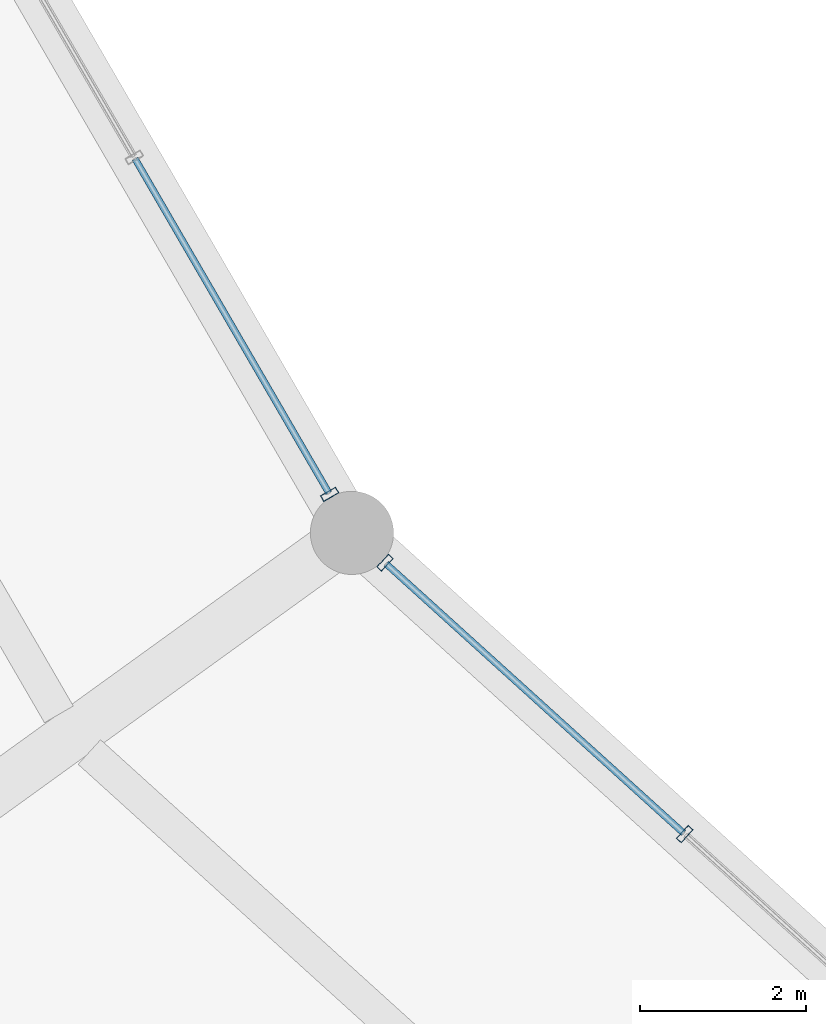
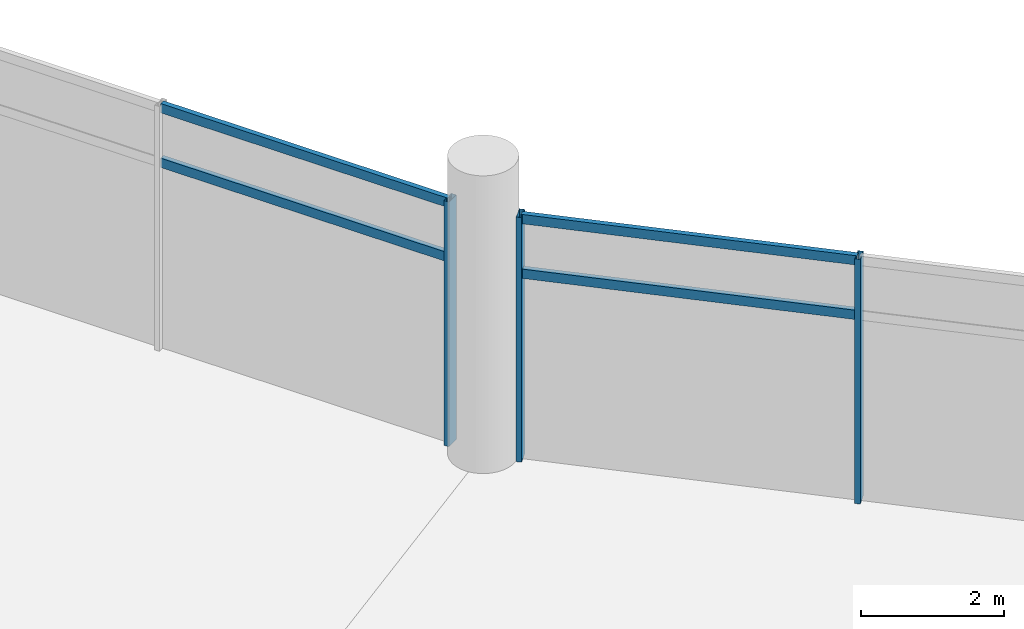
# One storey, part 12 of 184: 7 members, 2 elements without a shape of their own.
"""IFC4 building model written with IfcOpenShell, lengths in metres."""

from ifc_helpers import new_model, si_unit, direction, frame, origin, origin_2d, place, context, subcontext, project, spatial, hollow_rectangle, extrude, material, layer, layer_set, material_profile, profile_set, type_object, element, aggregate, save


model = new_model("IFC4")

# Units and contexts
model_context = context("Model", 3, precision=1e-05, world=origin(), true_north=direction((0.0, 1.0)))
body_context = subcontext(model_context, "Body", "Model", "MODEL_VIEW")
ifc_project = project(units=[si_unit("LENGTHUNIT", "METRE"), si_unit("AREAUNIT", "SQUARE_METRE"), si_unit("VOLUMEUNIT", "CUBIC_METRE"), si_unit("PLANEANGLEUNIT", "RADIAN"), si_unit("MASSUNIT", "GRAM", prefix="KILO")], contexts=[model_context])

# Site, building, storey
site_placement = place(None, origin())
site = spatial("IfcSite", under=ifc_project, at=site_placement, CompositionType="ELEMENT")
building_placement = place(site_placement, origin())
building = spatial("IfcBuilding", under=site, at=building_placement, Name="Kazemori Nagisa Stadium", CompositionType="ELEMENT")
storey_placement = place(building_placement, frame((0.0, 0.0, 10.5400390625)))
storey = spatial("IfcBuildingStorey", under=building, at=storey_placement, Name="L02", CompositionType="ELEMENT", Elevation=10.5400390625)

# Curtain wall, member
ifc_material_1 = material(Name="Anodised aluminium 6063-T5", Category="aluminium")
ifc_layer_1 = layer(ifc_material_1, 0.2099609375, Name="Anodised aluminium 6063-T5", Category="aluminium")
ifc_layer_set_1 = layer_set([ifc_layer_1], Name="Anodised aluminium 6063-T5")
curtain_wall_type_1 = type_object("IfcCurtainWallType", Name="CW_L02B_71", PredefinedType="USERDEFINED", material=ifc_layer_set_1)
curtain_wall_1_placement = place(storey_placement, origin())
curtain_wall_1 = element("IfcCurtainWall", 1, at=curtain_wall_1_placement, inside=storey, type_object=curtain_wall_type_1, Name="Unitised curtain wall CW-L02B-71 L02", ObjectType="UNITISED CURTAIN WALL", PredefinedType="USERDEFINED")
ifc_material_2 = material(Name="Aluminium 6063-T5 anodised", Category="aluminium")
ifc_material_profile_1 = material_profile(ifc_material_2, hollow_rectangle(XDim=0.080078125, YDim=0.2099609375, WallThickness=0.0048828125, at=origin_2d()), Name="ALU-MULL-80x210x5")
ifc_profile_set_1 = profile_set([ifc_material_profile_1], Name="Aluminium 6063-T5 anodised")
member_type_1 = type_object("IfcMemberType", Name="Mullion_M02", PredefinedType="MULLION", material=ifc_profile_set_1)
member_1_placement = place(storey_placement, frame((65.429931640625, 61.095458984375, 0.0), z_axis=(0.0, 0.0, 1.0), x_axis=(0.501611590054, -0.865092950337, 0.0)))
member_1 = element("IfcMember", 2, at=member_1_placement, type_object=member_type_1, Name="Curtain wall mullion CW-L02B-71-M4", PredefinedType="MULLION", context=body_context, shape_type="SweptSolid", body=[
    extrude(hollow_rectangle(XDim=0.080078125, YDim=0.2099609375, WallThickness=0.0048828125, at=origin_2d()), origin(), (0.0, 0.0, 1.0), 4.18994140625),
])

# Curtain wall, members
ifc_layer_2 = layer(ifc_material_1, 0.2099609375, Name="Anodised aluminium 6063-T5", Category="aluminium")
ifc_layer_set_2 = layer_set([ifc_layer_2], Name="Anodised aluminium 6063-T5")
curtain_wall_type_2 = type_object("IfcCurtainWallType", Name="CW_L02B_73", PredefinedType="USERDEFINED", material=ifc_layer_set_2)
curtain_wall_2_placement = place(storey_placement, origin())
curtain_wall_2 = element("IfcCurtainWall", 3, at=curtain_wall_2_placement, inside=storey, type_object=curtain_wall_type_2, Name="Unitised curtain wall CW-L02B-73 L02", ObjectType="UNITISED CURTAIN WALL", PredefinedType="USERDEFINED")
member_2_placement = place(storey_placement, frame((66.094970703125, 60.273681640625, 0.0), z_axis=(0.0, 0.0, 1.0), x_axis=(0.741350875443, -0.671117634607, 0.0)))
member_2 = element("IfcMember", 4, at=member_2_placement, type_object=member_type_1, Name="Curtain wall mullion CW-L02B-73-M1", PredefinedType="MULLION", context=body_context, shape_type="SweptSolid", body=[
    extrude(hollow_rectangle(XDim=0.080078125, YDim=0.2099609375, WallThickness=0.0048828125, at=origin_2d()), origin(), (0.0, 0.0, 1.0), 4.18994140625),
])
member_3_placement = place(storey_placement, frame((69.698974609375, 57.010986328125, 0.0), z_axis=(0.0, 0.0, 1.0), x_axis=(0.741350875443, -0.671117634607, 0.0)))
member_3 = element("IfcMember", 5, at=member_3_placement, type_object=member_type_1, Name="Curtain wall mullion CW-L02B-73-M2", PredefinedType="MULLION", context=body_context, shape_type="SweptSolid", body=[
    extrude(hollow_rectangle(XDim=0.080078125, YDim=0.2099609375, WallThickness=0.0048828125, at=origin_2d()), origin(), (0.0, 0.0, 1.0), 4.18994140625),
])

# Member
ifc_material_profile_2 = material_profile(ifc_material_2, hollow_rectangle(XDim=0.080078125, YDim=0.159912109375, WallThickness=0.00390625, at=origin_2d()), Name="ALU-TRAN-80x160x4")
ifc_profile_set_2 = profile_set([ifc_material_profile_2], Name="Aluminium 6063-T5 anodised")
member_type_2 = type_object("IfcMemberType", Name="Transom_T02", PredefinedType="USERDEFINED", material=ifc_profile_set_2)
member_4_placement = place(storey_placement, frame((63.0908203125, 65.129638671875, 3.184326171875), z_axis=(0.501610282552, -0.865093708472, 0.0), x_axis=(0.865093708472, 0.501610282552, 0.0)))
member_4 = element("IfcMember", 6, at=member_4_placement, type_object=member_type_2, Name="Curtain wall transom CW-L02B-71-T3-mid", ObjectType="TRANSOM", PredefinedType="USERDEFINED", context=body_context, shape_type="SweptSolid", body=[
    extrude(hollow_rectangle(XDim=0.080078125, YDim=0.159912109375, WallThickness=0.00390625, at=origin_2d()), origin(), (0.0, 0.0, 1.0), 4.643310546875),
])

member_5_placement = place(storey_placement, frame((63.0908203125, 65.129638671875, 4.119873046875), z_axis=(0.501610282552, -0.865093708472, 0.0), x_axis=(0.865093708472, 0.501610282552, 0.0)))
member_5 = element("IfcMember", 7, at=member_5_placement, type_object=member_type_2, Name="Curtain wall transom CW-L02B-71-T3-head", ObjectType="TRANSOM", PredefinedType="USERDEFINED", context=body_context, shape_type="SweptSolid", body=[
    extrude(hollow_rectangle(XDim=0.080078125, YDim=0.159912109375, WallThickness=0.00390625, at=origin_2d()), origin(), (0.0, 0.0, 1.0), 4.643310546875),
])

aggregate(curtain_wall_1, [member_1, member_4, member_5])

member_6_placement = place(storey_placement, frame((66.10986328125, 60.26025390625, 3.184326171875), z_axis=(0.741327007297, -0.671143999639, 0.0), x_axis=(0.671143999639, 0.741327007297, 0.0)))
member_6 = element("IfcMember", 8, at=member_6_placement, type_object=member_type_2, Name="Curtain wall transom CW-L02B-73-T1-mid", ObjectType="TRANSOM", PredefinedType="USERDEFINED", context=body_context, shape_type="SweptSolid", body=[
    extrude(hollow_rectangle(XDim=0.080078125, YDim=0.159912109375, WallThickness=0.00390625, at=origin_2d()), origin(), (0.0, 0.0, 1.0), 4.8212890625),
])

member_7_placement = place(storey_placement, frame((66.10986328125, 60.26025390625, 4.119873046875), z_axis=(0.741327007297, -0.671143999639, 0.0), x_axis=(0.671143999639, 0.741327007297, 0.0)))
member_7 = element("IfcMember", 9, at=member_7_placement, type_object=member_type_2, Name="Curtain wall transom CW-L02B-73-T1-head", ObjectType="TRANSOM", PredefinedType="USERDEFINED", context=body_context, shape_type="SweptSolid", body=[
    extrude(hollow_rectangle(XDim=0.080078125, YDim=0.159912109375, WallThickness=0.00390625, at=origin_2d()), origin(), (0.0, 0.0, 1.0), 4.8212890625),
])

aggregate(curtain_wall_2, [member_2, member_3, member_6, member_7])

save(model, "model.ifc")
